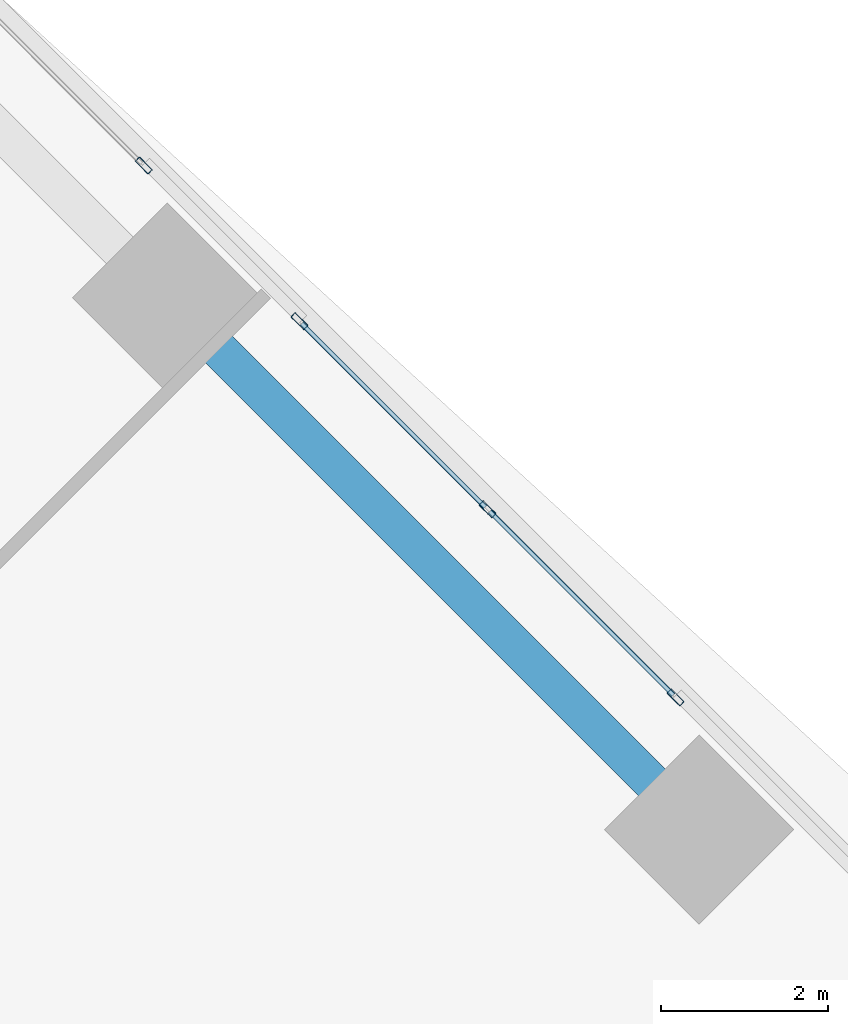
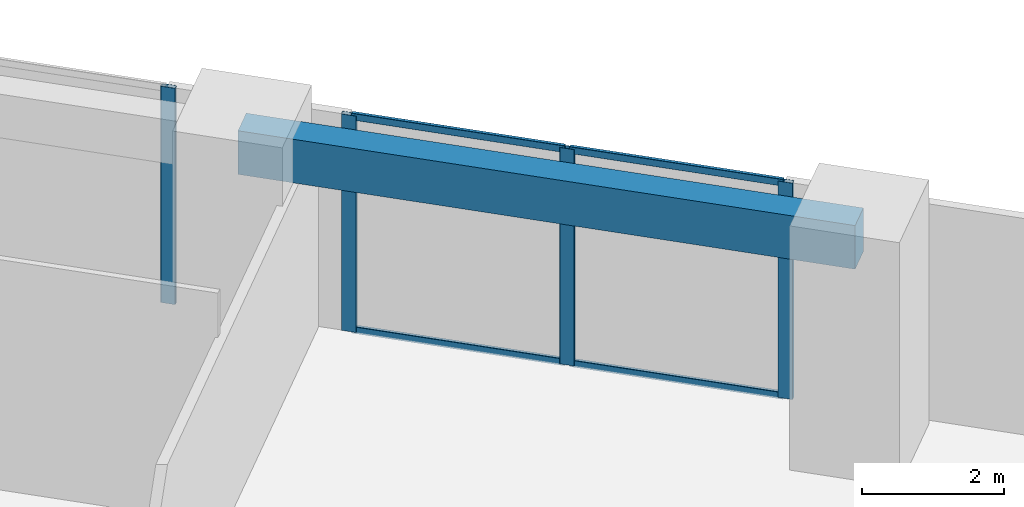
# One storey, part 8 of 17: 8 members, 1 beam, 2 elements without a shape of their own.
"""IFC4 building model written with IfcOpenShell, lengths in metres."""

from ifc_helpers import new_model, si_unit, direction, frame, origin, origin_2d, place, context, subcontext, project, spatial, rectangle, hollow_rectangle, extrude, source, transform, mapped, material, material_profile, profile_set, type_object, element, aggregate, save


model = new_model("IFC4")

# Units and contexts
model_context = context("Model", 3, precision=1e-05, world=origin(), true_north=direction((0.0, 1.0)))
body_context = subcontext(model_context, "Body", "Model", "MODEL_VIEW")
ifc_project = project(units=[si_unit("LENGTHUNIT", "METRE"), si_unit("AREAUNIT", "SQUARE_METRE"), si_unit("VOLUMEUNIT", "CUBIC_METRE"), si_unit("PLANEANGLEUNIT", "RADIAN"), si_unit("MASSUNIT", "GRAM", prefix="KILO")], contexts=[model_context])

# Site, building, storey
site_placement = place(None, origin())
site = spatial("IfcSite", under=ifc_project, at=site_placement, CompositionType="ELEMENT")
building_placement = place(site_placement, origin())
building = spatial("IfcBuilding", under=site, at=building_placement, Name="Torre Montelarca", CompositionType="ELEMENT")
storey_placement = place(building_placement, frame((0.0, 0.0, 241.60009765625)))
storey = spatial("IfcBuildingStorey", under=building, at=storey_placement, Name="L54", CompositionType="ELEMENT", Elevation=241.60009765625)

# Beam
ifc_material_1 = material(Name="Concrete C55/67", Category="concrete")
ifc_material_profile_1 = material_profile(ifc_material_1, rectangle(XDim=0.449951171875, YDim=0.75, at=origin_2d()), Name="RCB450X750", Category="concrete")
ifc_profile_set_1 = profile_set([ifc_material_profile_1], Name="Concrete C55/67")
beam_type = type_object("IfcBeamType", Name="BM-SP-RC750-EXT", PredefinedType="SPANDREL", material=ifc_profile_set_1)
shared_shape_1 = source(origin(), body_context, "Body", "SweptSolid", [
    extrude(rectangle(XDim=0.449951171875, YDim=0.75, at=origin_2d()), origin(), (0.0, 0.0, 1.0), 9.0),
])
beam_placement = place(storey_placement, frame((36.101806640625, 38.823486328125, 3.5849609375), z_axis=(0.707120344572, -0.70709321754, 0.0), x_axis=(0.70709321754, 0.707120344572, 0.0)))
element("IfcBeam", 1, at=beam_placement, inside=storey, type_object=beam_type, Name="L54 Grid Girder X 27.0-36.0 at Y=47.1", PredefinedType="SPANDREL", context=body_context, shape_type="MappedRepresentation", body=[
    mapped(shared_shape_1, transform((0.0, 0.0, 0.0), scale=1.0)),
])

# Curtain wall, members
ifc_material_2 = material(Name="Insulated low-E laminated glass", Category="glass")
curtain_wall_type = type_object("IfcCurtainWallType", Name="CW-SYS-Z3", PredefinedType="USERDEFINED", material=ifc_material_2)
curtain_wall_1_placement = place(storey_placement, origin())
curtain_wall_1 = element("IfcCurtainWall", 2, at=curtain_wall_1_placement, inside=storey, type_object=curtain_wall_type, Name="L54 Curtain Wall Run CW-T3-L54-E08-B1", ObjectType="UNITISED GLAZING", PredefinedType="USERDEFINED")
ifc_material_3 = material(Name="Anodised aluminium AA 6063-T6", Category="aluminium")
ifc_material_profile_2 = material_profile(ifc_material_3, hollow_rectangle(XDim=0.074951171875, YDim=0.219970703125, WallThickness=0.0048828125, InnerFilletRadius=0.0048828125, OuterFilletRadius=0.010009765625, at=origin_2d()), Name="ALU75X220X5", Category="aluminium")
ifc_profile_set_2 = profile_set([ifc_material_profile_2], Name="Anodised aluminium AA 6063-T6")
member_type_1 = type_object("IfcMemberType", Name="CWM-ALU220", PredefinedType="MULLION", material=ifc_profile_set_2)
shared_shape_2 = source(origin(), body_context, "Body", "SweptSolid", [
    extrude(hollow_rectangle(XDim=0.074951171875, YDim=0.219970703125, WallThickness=0.0048828125, InnerFilletRadius=0.0048828125, OuterFilletRadius=0.010009765625, at=origin_2d()), origin(), (0.0, 0.0, 1.0), 3.719970703125),
])
member_1_placement = place(storey_placement, frame((42.1845703125, 34.041748046875, 0.0), z_axis=(0.0, 0.0, 1.0), x_axis=(-0.707099017144, -0.707114545144, 0.0)))
member_1 = element("IfcMember", 3, at=member_1_placement, type_object=member_type_1, Name="CW mullion 1", PredefinedType="MULLION", context=body_context, shape_type="MappedRepresentation", body=[
    mapped(shared_shape_2, transform((0.0, 0.0, 0.0), scale=1.0)),
])
member_2_placement = place(storey_placement, frame((39.934326171875, 36.292236328125, 0.0), z_axis=(0.0, 0.0, 1.0), x_axis=(-0.707099017144, -0.707114545144, 0.0)))
member_2 = element("IfcMember", 4, at=member_2_placement, type_object=member_type_1, Name="CW mullion 2", PredefinedType="MULLION", context=body_context, shape_type="MappedRepresentation", body=[
    mapped(shared_shape_2, transform((0.0, 0.0, 0.0), scale=1.0)),
])
member_3_placement = place(storey_placement, frame((37.683837890625, 38.54248046875, 0.0), z_axis=(0.0, 0.0, 1.0), x_axis=(-0.707099017144, -0.707114545144, 0.0)))
member_3 = element("IfcMember", 5, at=member_3_placement, type_object=member_type_1, Name="CW mullion 3", PredefinedType="MULLION", context=body_context, shape_type="MappedRepresentation", body=[
    mapped(shared_shape_2, transform((0.0, 0.0, 0.0), scale=1.0)),
])

# Curtain wall, member
curtain_wall_2_placement = place(storey_placement, origin())
curtain_wall_2 = element("IfcCurtainWall", 6, at=curtain_wall_2_placement, inside=storey, type_object=curtain_wall_type, Name="L54 Curtain Wall Run CW-T3-L54-E08-B2", ObjectType="UNITISED GLAZING", PredefinedType="USERDEFINED")
member_4_placement = place(storey_placement, frame((35.82080078125, 40.40576171875, 0.0), z_axis=(0.0, 0.0, 1.0), x_axis=(-0.707114545144, -0.707099017144, 0.0)))
member_4 = element("IfcMember", 7, at=member_4_placement, type_object=member_type_1, Name="CW mullion 1", PredefinedType="MULLION", context=body_context, shape_type="MappedRepresentation", body=[
    mapped(shared_shape_2, transform((0.0, 0.0, 0.0), scale=1.0)),
])
aggregate(curtain_wall_2, [member_4])

# Member
ifc_material_profile_3 = material_profile(ifc_material_3, hollow_rectangle(XDim=0.054931640625, YDim=0.1201171875, WallThickness=0.00341796875, InnerFilletRadius=0.00341796875, OuterFilletRadius=0.007080078125, at=origin_2d()), Name="ALU55X120X3.5", Category="aluminium")
ifc_profile_set_3 = profile_set([ifc_material_profile_3], Name="Anodised aluminium AA 6063-T6")
member_type_2 = type_object("IfcMemberType", Name="CWT-ALU120", PredefinedType="USERDEFINED", material=ifc_profile_set_3)
shared_shape_3 = source(origin(), body_context, "Body", "SweptSolid", [
    extrude(hollow_rectangle(XDim=0.054931640625, YDim=0.1201171875, WallThickness=0.00341796875, InnerFilletRadius=0.00341796875, OuterFilletRadius=0.007080078125, at=origin_2d()), origin(), (0.0, 0.0, 1.0), 3.107421875),
])
member_5_placement = place(storey_placement, frame((42.158203125, 34.068359375, 0.02734375), z_axis=(-0.707106781187, 0.707106781187, 0.0), x_axis=(-0.707106781187, -0.707106781187, 0.0)))
member_5 = element("IfcMember", 8, at=member_5_placement, type_object=member_type_2, Name="CW transom 1.1", ObjectType="TRANSOM", PredefinedType="USERDEFINED", context=body_context, shape_type="MappedRepresentation", body=[
    mapped(shared_shape_3, transform((0.0, 0.0, 0.0), scale=1.0)),
])

member_6_placement = place(storey_placement, frame((42.158203125, 34.068359375, 3.6923828125), z_axis=(-0.707106781187, 0.707106781187, 0.0), x_axis=(-0.707106781187, -0.707106781187, 0.0)))
member_6 = element("IfcMember", 9, at=member_6_placement, type_object=member_type_2, Name="CW transom 1.2", ObjectType="TRANSOM", PredefinedType="USERDEFINED", context=body_context, shape_type="MappedRepresentation", body=[
    mapped(shared_shape_3, transform((0.0, 0.0, 0.0), scale=1.0)),
])

member_7_placement = place(storey_placement, frame((39.90771484375, 36.318603515625, 0.02734375), z_axis=(-0.707106781187, 0.707106781187, 0.0), x_axis=(-0.707106781187, -0.707106781187, 0.0)))
member_7 = element("IfcMember", 10, at=member_7_placement, type_object=member_type_2, Name="CW transom 2.1", ObjectType="TRANSOM", PredefinedType="USERDEFINED", context=body_context, shape_type="MappedRepresentation", body=[
    mapped(shared_shape_3, transform((0.0, 0.0, 0.0), scale=1.0)),
])

member_8_placement = place(storey_placement, frame((39.90771484375, 36.318603515625, 3.6923828125), z_axis=(-0.707106781187, 0.707106781187, 0.0), x_axis=(-0.707106781187, -0.707106781187, 0.0)))
member_8 = element("IfcMember", 11, at=member_8_placement, type_object=member_type_2, Name="CW transom 2.2", ObjectType="TRANSOM", PredefinedType="USERDEFINED", context=body_context, shape_type="MappedRepresentation", body=[
    mapped(shared_shape_3, transform((0.0, 0.0, 0.0), scale=1.0)),
])

aggregate(curtain_wall_1, [member_1, member_2, member_3, member_5, member_6, member_7, member_8])

save(model, "model.ifc")
